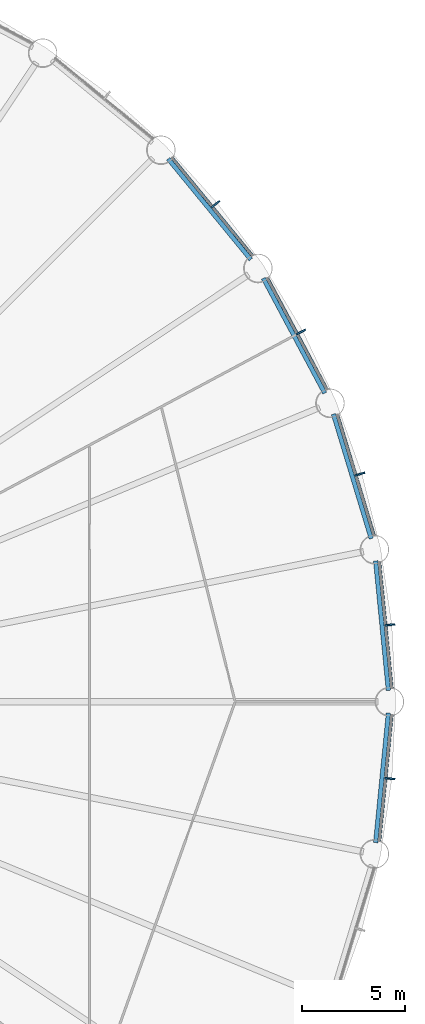
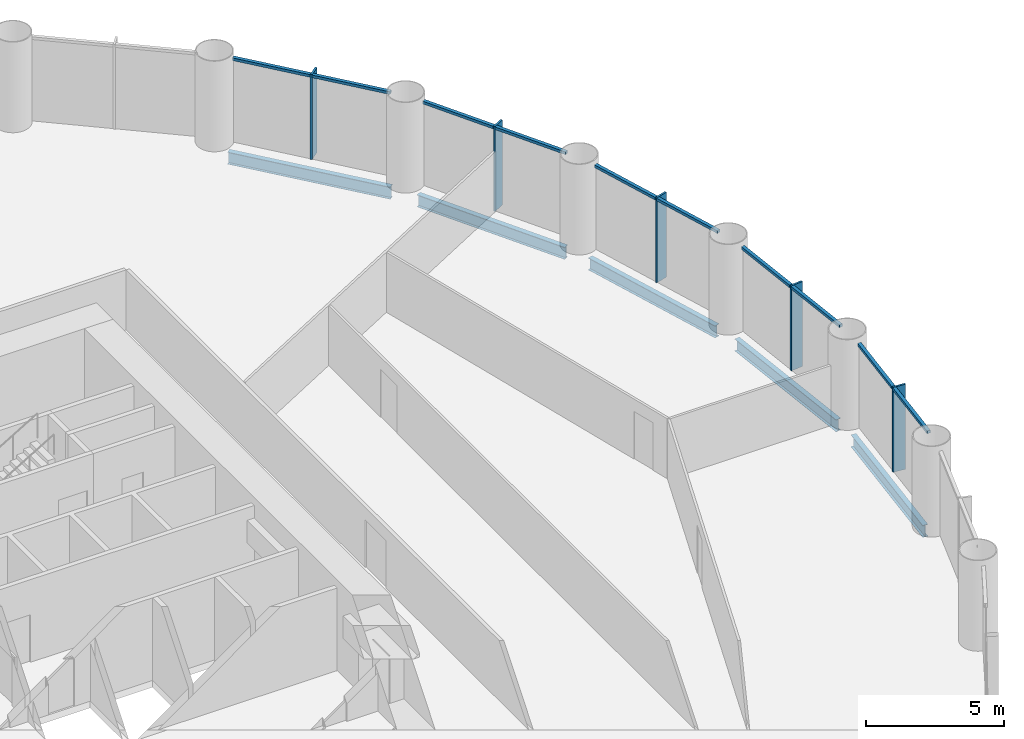
# One storey, part 6 of 14: 15 members, 5 beams, 5 elements without a shape of their own.
"""IFC4 building model written with IfcOpenShell, lengths in metres."""

from ifc_helpers import new_model, si_unit, direction, frame, origin, origin_2d, place, context, subcontext, project, spatial, rectangle, i_section, extrude, material, material_profile, profile_set, type_object, element, aggregate, save


model = new_model("IFC4")

# Units and contexts
model_context = context("Model", 3, precision=1e-05, world=origin(), true_north=direction((0.0, 1.0)))
body_context = subcontext(model_context, "Body", "Model", "MODEL_VIEW")
ifc_project = project(units=[si_unit("LENGTHUNIT", "METRE"), si_unit("AREAUNIT", "SQUARE_METRE"), si_unit("VOLUMEUNIT", "CUBIC_METRE"), si_unit("PLANEANGLEUNIT", "RADIAN"), si_unit("MASSUNIT", "GRAM", prefix="KILO")], contexts=[model_context])

# Site, building, storey
site_placement = place(None, origin())
site = spatial("IfcSite", under=ifc_project, at=site_placement, CompositionType="ELEMENT")
building_placement = place(site_placement, origin())
building = spatial("IfcBuilding", under=site, at=building_placement, Name="Corvane Civic Tower", CompositionType="ELEMENT")
storey_placement = place(building_placement, frame((0.0, 0.0, 81.0)))
storey = spatial("IfcBuildingStorey", under=building, at=storey_placement, Name="L18", CompositionType="ELEMENT", Elevation=81.0)

# Beams
ifc_material_1 = material(Name="Steel ASTM A992 Gr 50", Category="steel")
ifc_material_profile_1 = material_profile(ifc_material_1, i_section(OverallWidth=0.209228515625, OverallDepth=0.533447265625, WebThickness=0.01025390625, FlangeThickness=0.015625, at=origin_2d()), Name="W21X62")
ifc_profile_set_1 = profile_set([ifc_material_profile_1], Name="Steel ASTM A992 Gr 50")
beam_type = type_object("IfcBeamType", Name="EDGE BEAM W21X62", PredefinedType="BEAM", material=ifc_profile_set_1)
beam_placement = place(storey_placement, frame((27.0068359375, 26.23291015625, -0.566650390625), z_axis=(0.634386787141, -0.773015785286, 0.0), x_axis=(0.773015785286, 0.634386787141, 0.0)))
element("IfcBeam", 1, at=beam_placement, inside=storey, type_object=beam_type, Name="BM-L18-E05", PredefinedType="BEAM", context=body_context, shape_type="SweptSolid", body=[
    extrude(i_section(OverallWidth=0.209228515625, OverallDepth=0.533447265625, WebThickness=0.01025390625, FlangeThickness=0.015625, at=origin_2d()), origin(), (0.0, 0.0, 1.0), 6.290771484375),
])
for number, where, z_axis, x_axis, name in (
    (2, (31.605712890625, 20.4599609375, -0.566650390625), (0.471405897311, -0.881916367906, 0.0), (0.881916367906, 0.471405897311, 0.0), "BM-L18-E06"),
    (3, (34.989990234375, 13.90087890625, -0.566650390625), (0.290273452184, -0.956943740748, 0.0), (0.956943740748, 0.290273452184, 0.0), "BM-L18-E07"),
):
    element("IfcBeam", number, at=place(storey_placement, frame(where, z_axis=z_axis, x_axis=x_axis)), inside=storey, type_object=beam_type, Name=name, PredefinedType="BEAM", context=body_context, shape_type="SweptSolid", body=[
        extrude(i_section(OverallWidth=0.209228515625, OverallDepth=0.533447265625, WebThickness=0.01025390625, FlangeThickness=0.015625, at=origin_2d()), origin(), (0.0, 0.0, 1.0), 6.290283203125),
    ])
for number, where, z_axis, x_axis, name in (
    (4, (37.029541015625, 6.8076171875, -0.566650390625), (0.097997284622, -0.995186682089, 0.0), (0.995186682089, 0.097997284622, 0.0), "BM-L18-E08"),
    (5, (37.64599609375, -0.54736328125, -0.566650390625), (-0.097997284622, -0.995186682089, 0.0), (0.995186682089, -0.097997284622, 0.0), "BM-L18-E09"),
):
    element("IfcBeam", number, at=place(storey_placement, frame(where, z_axis=z_axis, x_axis=x_axis)), inside=storey, type_object=beam_type, Name=name, PredefinedType="BEAM", context=body_context, shape_type="SweptSolid", body=[
        extrude(i_section(OverallWidth=0.209228515625, OverallDepth=0.533447265625, WebThickness=0.01025390625, FlangeThickness=0.015625, at=origin_2d()), origin(), (0.0, 0.0, 1.0), 6.29052734375),
    ])

# Curtain wall, members
ifc_material_2 = material(Name="Anodised aluminium bronze", Category="aluminium")
curtain_wall_type = type_object("IfcCurtainWallType", Name="TOWER CW-T1 STICK CURTAIN WALL", PredefinedType="NOTDEFINED", material=ifc_material_2)
curtain_wall_1_placement = place(storey_placement, origin())
curtain_wall_1 = element("IfcCurtainWall", 6, at=curtain_wall_1_placement, inside=storey, type_object=curtain_wall_type, Name="Curtain wall CW-T1 L18 bay 05", PredefinedType="NOTDEFINED")
ifc_material_3 = material(Name="Anodised aluminium bronze", Category="aluminium")
ifc_material_profile_2 = material_profile(ifc_material_3, rectangle(XDim=0.139892578125, YDim=0.1201171875, at=origin_2d()), Name="TOWER CW-T1 TRANSOM 140x120")
ifc_profile_set_2 = profile_set([ifc_material_profile_2], Name="Anodised aluminium bronze")
member_type_1 = type_object("IfcMemberType", Name="TOWER CW-T1 TRANSOM 140x120", PredefinedType="USERDEFINED", material=ifc_profile_set_2)
member_1_placement = place(storey_placement, frame((27.20654296875, 26.271728515625, 3.68994140625), z_axis=(0.634403652865, -0.773001943873, 0.0), x_axis=(0.773001943873, 0.634403652865, 0.0)))
member_1 = element("IfcMember", 7, at=member_1_placement, type_object=member_type_1, Name="Transom CW-T1 L18 05.1", ObjectType="TRANSOM", PredefinedType="USERDEFINED", context=body_context, shape_type="SweptSolid", body=[
    extrude(rectangle(XDim=0.139892578125, YDim=0.1201171875, at=origin_2d()), origin(), (0.0, 0.0, 1.0), 3.008544921875),
])
member_2_placement = place(storey_placement, frame((29.166015625, 23.88427734375, 3.68994140625), z_axis=(0.634355161466, -0.773041738279, 0.0), x_axis=(0.773041738279, 0.634355161466, 0.0)))
member_2 = element("IfcMember", 8, at=member_2_placement, type_object=member_type_1, Name="Transom CW-T1 L18 05.2", ObjectType="TRANSOM", PredefinedType="USERDEFINED", context=body_context, shape_type="SweptSolid", body=[
    extrude(rectangle(XDim=0.139892578125, YDim=0.1201171875, at=origin_2d()), origin(), (0.0, 0.0, 1.0), 3.008544921875),
])

curtain_wall_2_placement = place(storey_placement, origin())
curtain_wall_2 = element("IfcCurtainWall", 9, at=curtain_wall_2_placement, inside=storey, type_object=curtain_wall_type, Name="Curtain wall CW-T1 L18 bay 06", PredefinedType="NOTDEFINED")
member_3_placement = place(storey_placement, frame((31.809326171875, 20.459228515625, 3.68994140625), z_axis=(0.471392506424, -0.881923525532, 0.0), x_axis=(0.881923525532, 0.471392506424, 0.0)))
member_3 = element("IfcMember", 10, at=member_3_placement, type_object=member_type_1, Name="Transom CW-T1 L18 06.1", ObjectType="TRANSOM", PredefinedType="USERDEFINED", context=body_context, shape_type="SweptSolid", body=[
    extrude(rectangle(XDim=0.139892578125, YDim=0.1201171875, at=origin_2d()), origin(), (0.0, 0.0, 1.0), 3.008544921875),
])
member_4_placement = place(storey_placement, frame((33.26513671875, 17.7353515625, 3.68994140625), z_axis=(0.471392506424, -0.881923525532, 0.0), x_axis=(0.881923525532, 0.471392506424, 0.0)))
member_4 = element("IfcMember", 11, at=member_4_placement, type_object=member_type_1, Name="Transom CW-T1 L18 06.2", ObjectType="TRANSOM", PredefinedType="USERDEFINED", context=body_context, shape_type="SweptSolid", body=[
    extrude(rectangle(XDim=0.139892578125, YDim=0.1201171875, at=origin_2d()), origin(), (0.0, 0.0, 1.0), 3.008544921875),
])

curtain_wall_3_placement = place(storey_placement, origin())
curtain_wall_3 = element("IfcCurtainWall", 12, at=curtain_wall_3_placement, inside=storey, type_object=curtain_wall_type, Name="Curtain wall CW-T1 L18 bay 07", PredefinedType="NOTDEFINED")
member_5_placement = place(storey_placement, frame((35.189453125, 13.8603515625, 3.68994140625), z_axis=(0.290279914268, -0.956941780555, 0.0), x_axis=(0.956941780555, 0.290279914268, 0.0)))
member_5 = element("IfcMember", 13, at=member_5_placement, type_object=member_type_1, Name="Transom CW-T1 L18 07.1", ObjectType="TRANSOM", PredefinedType="USERDEFINED", context=body_context, shape_type="SweptSolid", body=[
    extrude(rectangle(XDim=0.139892578125, YDim=0.1201171875, at=origin_2d()), origin(), (0.0, 0.0, 1.0), 3.008544921875),
])
member_6_placement = place(storey_placement, frame((36.0859375, 10.90478515625, 3.68994140625), z_axis=(0.290279914268, -0.956941780555, 0.0), x_axis=(0.956941780555, 0.290279914268, 0.0)))
member_6 = element("IfcMember", 14, at=member_6_placement, type_object=member_type_1, Name="Transom CW-T1 L18 07.2", ObjectType="TRANSOM", PredefinedType="USERDEFINED", context=body_context, shape_type="SweptSolid", body=[
    extrude(rectangle(XDim=0.139892578125, YDim=0.1201171875, at=origin_2d()), origin(), (0.0, 0.0, 1.0), 3.008544921875),
])

curtain_wall_4_placement = place(storey_placement, origin())
curtain_wall_4 = element("IfcCurtainWall", 15, at=curtain_wall_4_placement, inside=storey, type_object=curtain_wall_type, Name="Curtain wall CW-T1 L18 bay 08", PredefinedType="NOTDEFINED")
member_7_placement = place(storey_placement, frame((37.21728515625, 6.72900390625, 3.68994140625), z_axis=(0.097944923917, -0.995191836722, 0.0), x_axis=(0.995191836722, 0.097944923917, 0.0)))
member_7 = element("IfcMember", 16, at=member_7_placement, type_object=member_type_1, Name="Transom CW-T1 L18 08.1", ObjectType="TRANSOM", PredefinedType="USERDEFINED", context=body_context, shape_type="SweptSolid", body=[
    extrude(rectangle(XDim=0.139892578125, YDim=0.1201171875, at=origin_2d()), origin(), (0.0, 0.0, 1.0), 3.008544921875),
])
member_8_placement = place(storey_placement, frame((37.52001953125, 3.6552734375, 3.68994140625), z_axis=(0.097944923917, -0.995191836722, 0.0), x_axis=(0.995191836722, 0.097944923917, 0.0)))
member_8 = element("IfcMember", 17, at=member_8_placement, type_object=member_type_1, Name="Transom CW-T1 L18 08.2", ObjectType="TRANSOM", PredefinedType="USERDEFINED", context=body_context, shape_type="SweptSolid", body=[
    extrude(rectangle(XDim=0.139892578125, YDim=0.1201171875, at=origin_2d()), origin(), (0.0, 0.0, 1.0), 3.008544921875),
])

curtain_wall_5_placement = place(storey_placement, origin())
curtain_wall_5 = element("IfcCurtainWall", 18, at=curtain_wall_5_placement, inside=storey, type_object=curtain_wall_type, Name="Curtain wall CW-T1 L18 bay 09", PredefinedType="NOTDEFINED")
member_9_placement = place(storey_placement, frame((37.814697265625, -0.6611328125, 3.68994140625), z_axis=(-0.097944923917, -0.995191836722, 0.0), x_axis=(0.995191836722, -0.097944923917, 0.0)))
member_9 = element("IfcMember", 19, at=member_9_placement, type_object=member_type_1, Name="Transom CW-T1 L18 09.1", ObjectType="TRANSOM", PredefinedType="USERDEFINED", context=body_context, shape_type="SweptSolid", body=[
    extrude(rectangle(XDim=0.139892578125, YDim=0.1201171875, at=origin_2d()), origin(), (0.0, 0.0, 1.0), 3.008544921875),
])
member_10_placement = place(storey_placement, frame((37.511962890625, -3.73486328125, 3.68994140625), z_axis=(-0.097944923917, -0.995191836722, 0.0), x_axis=(0.995191836722, -0.097944923917, 0.0)))
member_10 = element("IfcMember", 20, at=member_10_placement, type_object=member_type_1, Name="Transom CW-T1 L18 09.2", ObjectType="TRANSOM", PredefinedType="USERDEFINED", context=body_context, shape_type="SweptSolid", body=[
    extrude(rectangle(XDim=0.139892578125, YDim=0.1201171875, at=origin_2d()), origin(), (0.0, 0.0, 1.0), 3.008544921875),
])

# Member
ifc_material_4 = material(Name="Anodised aluminium bronze", Category="aluminium")
ifc_material_profile_3 = material_profile(ifc_material_4, rectangle(XDim=0.080078125, YDim=0.5, at=origin_2d()), Name="TOWER FIN MULLION 80x500 BRONZE")
ifc_profile_set_3 = profile_set([ifc_material_profile_3], Name="Anodised aluminium bronze")
member_type_2 = type_object("IfcMemberType", Name="TOWER FIN MULLION 80x500 BRONZE", PredefinedType="MULLION", material=ifc_profile_set_3)
member_11_placement = place(storey_placement, frame((29.295166015625, 24.0419921875, 0.0), z_axis=(0.0, 0.0, 1.0), x_axis=(0.634397218569, -0.773007224463, 0.0)))
member_11 = element("IfcMember", 21, at=member_11_placement, type_object=member_type_2, Name="Fin mullion 05 L18", PredefinedType="MULLION", context=body_context, shape_type="SweptSolid", body=[
    extrude(rectangle(XDim=0.080078125, YDim=0.5, at=origin_2d()), origin(), (0.0, 0.0, 1.0), 3.75),
])

aggregate(curtain_wall_1, [member_11, member_1, member_2])

member_12_placement = place(storey_placement, frame((33.422607421875, 17.86474609375, 0.0), z_axis=(0.0, 0.0, 1.0), x_axis=(0.471403725359, -0.881917528864, 0.0)))
member_12 = element("IfcMember", 22, at=member_12_placement, type_object=member_type_2, Name="Fin mullion 06 L18", PredefinedType="MULLION", context=body_context, shape_type="SweptSolid", body=[
    extrude(rectangle(XDim=0.080078125, YDim=0.5, at=origin_2d()), origin(), (0.0, 0.0, 1.0), 3.75),
])

aggregate(curtain_wall_2, [member_12, member_3, member_4])

member_13_placement = place(storey_placement, frame((36.265625, 11.001220703125, 0.0), z_axis=(0.0, 0.0, 1.0), x_axis=(0.290278397654, -0.956942240606, 0.0)))
member_13 = element("IfcMember", 23, at=member_13_placement, type_object=member_type_2, Name="Fin mullion 07 L18", PredefinedType="MULLION", context=body_context, shape_type="SweptSolid", body=[
    extrude(rectangle(XDim=0.080078125, YDim=0.5, at=origin_2d()), origin(), (0.0, 0.0, 1.0), 3.75),
])

aggregate(curtain_wall_3, [member_13, member_5, member_6])

member_14_placement = place(storey_placement, frame((37.715087890625, 3.714599609375, 0.0), z_axis=(0.0, 0.0, 1.0), x_axis=(0.098006239521, -0.995185800248, 0.0)))
member_14 = element("IfcMember", 24, at=member_14_placement, type_object=member_type_2, Name="Fin mullion 08 L18", PredefinedType="MULLION", context=body_context, shape_type="SweptSolid", body=[
    extrude(rectangle(XDim=0.080078125, YDim=0.5, at=origin_2d()), origin(), (0.0, 0.0, 1.0), 3.75),
])

aggregate(curtain_wall_4, [member_14, member_7, member_8])

member_15_placement = place(storey_placement, frame((37.715087890625, -3.714599609375, 0.0), z_axis=(0.0, 0.0, 1.0), x_axis=(-0.098006239521, -0.995185800248, 0.0)))
member_15 = element("IfcMember", 25, at=member_15_placement, type_object=member_type_2, Name="Fin mullion 09 L18", PredefinedType="MULLION", context=body_context, shape_type="SweptSolid", body=[
    extrude(rectangle(XDim=0.080078125, YDim=0.5, at=origin_2d()), origin(), (0.0, 0.0, 1.0), 3.75),
])

aggregate(curtain_wall_5, [member_15, member_9, member_10])

save(model, "model.ifc")
